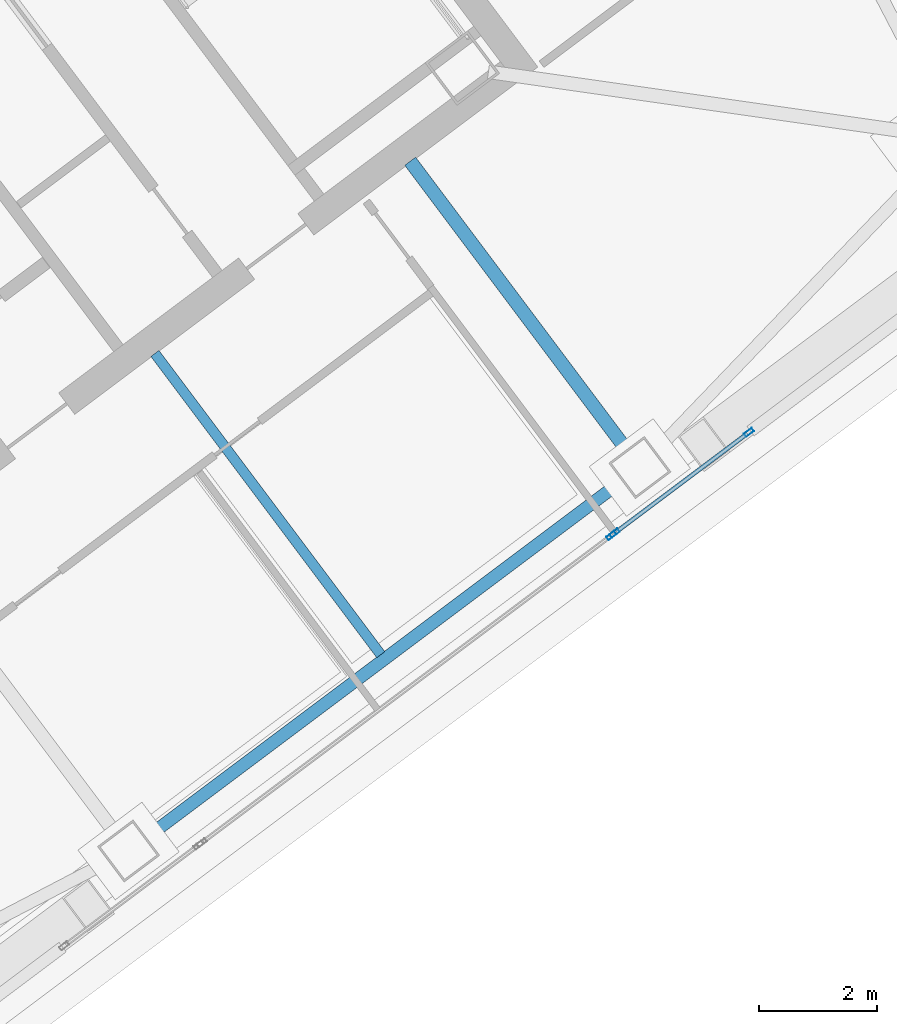
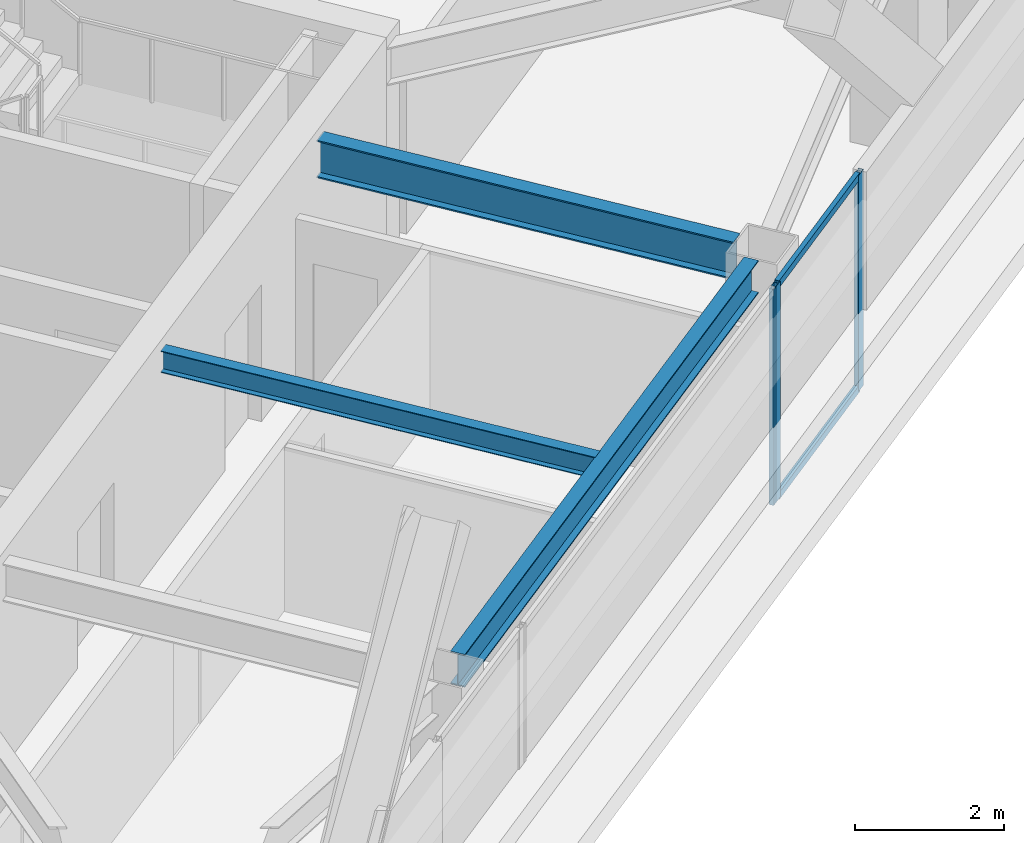
# One storey, part 23 of 39: 5 members, 3 beams, 2 elements without a shape of their own.
"""IFC4 building model written with IfcOpenShell, lengths in metres."""

from ifc_helpers import new_model, si_unit, direction, frame, origin, origin_2d, place, context, subcontext, project, spatial, hollow_rectangle, i_section, extrude, material, material_profile, profile_set, type_object, element, aggregate, save


model = new_model("IFC4")

# Units and contexts
model_context = context("Model", 3, precision=1e-05, world=origin(), true_north=direction((0.0, 1.0)))
body_context = subcontext(model_context, "Body", "Model", "MODEL_VIEW")
ifc_project = project(units=[si_unit("LENGTHUNIT", "METRE"), si_unit("AREAUNIT", "SQUARE_METRE"), si_unit("VOLUMEUNIT", "CUBIC_METRE"), si_unit("PLANEANGLEUNIT", "RADIAN"), si_unit("MASSUNIT", "GRAM", prefix="KILO")], contexts=[model_context])

# Site, building, storey
site_placement = place(None, origin())
site = spatial("IfcSite", under=ifc_project, at=site_placement, CompositionType="ELEMENT")
building_placement = place(site_placement, origin())
building = spatial("IfcBuilding", under=site, at=building_placement, Name="Tashvorn Skyway Center", CompositionType="ELEMENT")
storey_placement = place(building_placement, frame((0.0, 0.0, 232.60009765625)))
storey = spatial("IfcBuildingStorey", under=building, at=storey_placement, Name="L63", CompositionType="ELEMENT", Elevation=232.60009765625)

# Beams
ifc_material_1 = material(Name="Steel ASTM A992 Grade 50", Category="steel")
ifc_material_profile_1 = material_profile(ifc_material_1, i_section(OverallWidth=0.22998046875, OverallDepth=0.616943359375, WebThickness=0.01318359375, FlangeThickness=0.022216796875, at=origin_2d()), Name="W24X94")
ifc_profile_set_1 = profile_set([ifc_material_profile_1], Name="Steel ASTM A992 Grade 50")
beam_type_1 = type_object("IfcBeamType", Name="BM-BEAM-W24X94", PredefinedType="BEAM", material=ifc_profile_set_1)
beam_1_placement = place(storey_placement, frame((126.64794921875, 24.135986328125, 3.0615234375), z_axis=(-0.599980788915, 0.800014407953, 0.0), x_axis=(-0.800014407953, -0.599980788915, 0.0)))
element("IfcBeam", 1, at=beam_1_placement, inside=storey, type_object=beam_type_1, Name="Tower 2 L63 Primary Floor Girder FC-S2", PredefinedType="BEAM", context=body_context, shape_type="SweptSolid", body=[
    extrude(i_section(OverallWidth=0.22998046875, OverallDepth=0.616943359375, WebThickness=0.01318359375, FlangeThickness=0.022216796875, at=origin_2d()), origin(), (0.0, 0.0, 1.0), 6.10009765625),
])
ifc_material_profile_2 = material_profile(ifc_material_1, i_section(OverallWidth=0.1708984375, OverallDepth=0.35498046875, WebThickness=0.007080078125, FlangeThickness=0.01171875, at=origin_2d()), Name="W14X34")
ifc_profile_set_2 = profile_set([ifc_material_profile_2], Name="Steel ASTM A992 Grade 50")
beam_type_2 = type_object("IfcBeamType", Name="BM-JOIST-W14X34", PredefinedType="JOIST", material=ifc_profile_set_2)
beam_2_placement = place(storey_placement, frame((118.674072265625, 25.76806640625, 3.1923828125), z_axis=(0.599981581373, -0.800013813639, 0.0), x_axis=(0.800013813639, 0.599981581373, 0.0)))
element("IfcBeam", 2, at=beam_2_placement, inside=storey, type_object=beam_type_2, Name="Tower 2 L63 Secondary Composite Joist JS", PredefinedType="JOIST", context=body_context, shape_type="SweptSolid", body=[
    extrude(i_section(OverallWidth=0.1708984375, OverallDepth=0.35498046875, WebThickness=0.007080078125, FlangeThickness=0.01171875, at=origin_2d()), origin(), (0.0, 0.0, 1.0), 6.362548828125),
])
ifc_material_profile_3 = material_profile(ifc_material_1, i_section(OverallWidth=0.2109375, OverallDepth=0.5390625, WebThickness=0.01171875, FlangeThickness=0.018798828125, at=origin_2d()), Name="W21X73")
ifc_profile_set_3 = profile_set([ifc_material_profile_3], Name="Steel ASTM A992 Grade 50")
beam_type_3 = type_object("IfcBeamType", Name="BM-SPANDREL-W21X73", PredefinedType="SPANDREL", material=ifc_profile_set_3)
beam_3_placement = place(storey_placement, frame((118.52587890625, 17.58203125, 3.100341796875), z_axis=(0.800008736549, 0.599988351091, 0.0), x_axis=(-0.599988351091, 0.800008736549, 0.0)))
element("IfcBeam", 3, at=beam_3_placement, inside=storey, type_object=beam_type_3, Name="Tower 2 L63 Spandrel Beam 02", PredefinedType="SPANDREL", context=body_context, shape_type="SweptSolid", body=[
    extrude(i_section(OverallWidth=0.2109375, OverallDepth=0.5390625, WebThickness=0.01171875, FlangeThickness=0.018798828125, at=origin_2d()), origin(), (0.0, 0.0, 1.0), 10.06005859375),
])

# Curtain wall, members
ifc_material_2 = material(Name="Thermally broken bronze-anodized aluminium 6063-T6", Category="aluminium")
curtain_wall_type = type_object("IfcCurtainWallType", Name="CW-CW-Z5", PredefinedType="NOTDEFINED", material=ifc_material_2)
curtain_wall_1_placement = place(storey_placement, origin())
curtain_wall_1 = element("IfcCurtainWall", 4, at=curtain_wall_1_placement, inside=storey, type_object=curtain_wall_type, Name="Tower 2 L63 South Unitised Curtain Wall Glazing Group 1", PredefinedType="NOTDEFINED")
ifc_material_profile_4 = material_profile(ifc_material_2, hollow_rectangle(XDim=0.070068359375, YDim=0.1650390625, WallThickness=0.00390625, at=origin_2d()), Name="ALU-MULL-70x165")
ifc_profile_set_4 = profile_set([ifc_material_profile_4], Name="Thermally broken bronze-anodized aluminium 6063-T6")
member_type_1 = type_object("IfcMemberType", Name="CWM-CW-Z5", PredefinedType="MULLION", material=ifc_profile_set_4)
member_1_placement = place(storey_placement, frame((128.71337890625, 24.43505859375, 0.0), z_axis=(0.0, 0.0, 1.0), x_axis=(0.600005504617, -0.799995871508, 0.0)))
member_1 = element("IfcMember", 5, at=member_1_placement, type_object=member_type_1, Name="CW-Z5 mullion 1", PredefinedType="MULLION", context=body_context, shape_type="SweptSolid", body=[
    extrude(hollow_rectangle(XDim=0.070068359375, YDim=0.1650390625, WallThickness=0.00390625, at=origin_2d()), origin(), (0.0, 0.0, 1.0), 3.5498046875),
])
member_2_placement = place(storey_placement, frame((126.444091796875, 22.73291015625, 0.0), z_axis=(0.0, 0.0, 1.0), x_axis=(0.600005504617, -0.799995871508, 0.0)))
member_2 = element("IfcMember", 6, at=member_2_placement, type_object=member_type_1, Name="CW-Z5 mullion 2", PredefinedType="MULLION", context=body_context, shape_type="SweptSolid", body=[
    extrude(hollow_rectangle(XDim=0.070068359375, YDim=0.1650390625, WallThickness=0.00390625, at=origin_2d()), origin(), (0.0, 0.0, 1.0), 3.5498046875),
])

# Curtain wall, member
curtain_wall_2_placement = place(storey_placement, origin())
curtain_wall_2 = element("IfcCurtainWall", 7, at=curtain_wall_2_placement, inside=storey, type_object=curtain_wall_type, Name="Tower 2 L63 South Unitised Curtain Wall Glazing Group 2", PredefinedType="NOTDEFINED")
member_3_placement = place(storey_placement, frame((126.387939453125, 22.69091796875, 0.0), z_axis=(0.0, 0.0, 1.0), x_axis=(0.600000000002, -0.799999999998, 0.0)))
member_3 = element("IfcMember", 8, at=member_3_placement, type_object=member_type_1, Name="CW-Z5 mullion 1", PredefinedType="MULLION", context=body_context, shape_type="SweptSolid", body=[
    extrude(hollow_rectangle(XDim=0.070068359375, YDim=0.1650390625, WallThickness=0.00390625, at=origin_2d()), origin(), (0.0, 0.0, 1.0), 3.5498046875),
])
aggregate(curtain_wall_2, [member_3])

# Member
ifc_material_profile_5 = material_profile(ifc_material_2, hollow_rectangle(XDim=0.070068359375, YDim=0.114990234375, WallThickness=0.00390625, at=origin_2d()), Name="ALU-TRAN-70x115")
ifc_profile_set_5 = profile_set([ifc_material_profile_5], Name="Thermally broken bronze-anodized aluminium 6063-T6")
member_type_2 = type_object("IfcMemberType", Name="CWT-CW-Z5", PredefinedType="USERDEFINED", material=ifc_profile_set_5)
member_4_placement = place(storey_placement, frame((128.685302734375, 24.4140625, 0.034912109375), z_axis=(-0.799978822035, -0.600028236249, 0.0), x_axis=(0.600028236249, -0.799978822035, 0.0)))
member_4 = element("IfcMember", 9, at=member_4_placement, type_object=member_type_2, Name="CW-Z5 transom 1.1", ObjectType="TRANSOM", PredefinedType="USERDEFINED", context=body_context, shape_type="SweptSolid", body=[
    extrude(hollow_rectangle(XDim=0.070068359375, YDim=0.114990234375, WallThickness=0.00390625, at=origin_2d()), origin(), (0.0, 0.0, 1.0), 2.766845703125),
])

member_5_placement = place(storey_placement, frame((128.685302734375, 24.4140625, 3.514892578125), z_axis=(-0.799978822035, -0.600028236249, 0.0), x_axis=(0.600028236249, -0.799978822035, 0.0)))
member_5 = element("IfcMember", 10, at=member_5_placement, type_object=member_type_2, Name="CW-Z5 transom 1.2", ObjectType="TRANSOM", PredefinedType="USERDEFINED", context=body_context, shape_type="SweptSolid", body=[
    extrude(hollow_rectangle(XDim=0.070068359375, YDim=0.114990234375, WallThickness=0.00390625, at=origin_2d()), origin(), (0.0, 0.0, 1.0), 2.766845703125),
])

aggregate(curtain_wall_1, [member_1, member_2, member_4, member_5])

save(model, "model.ifc")
